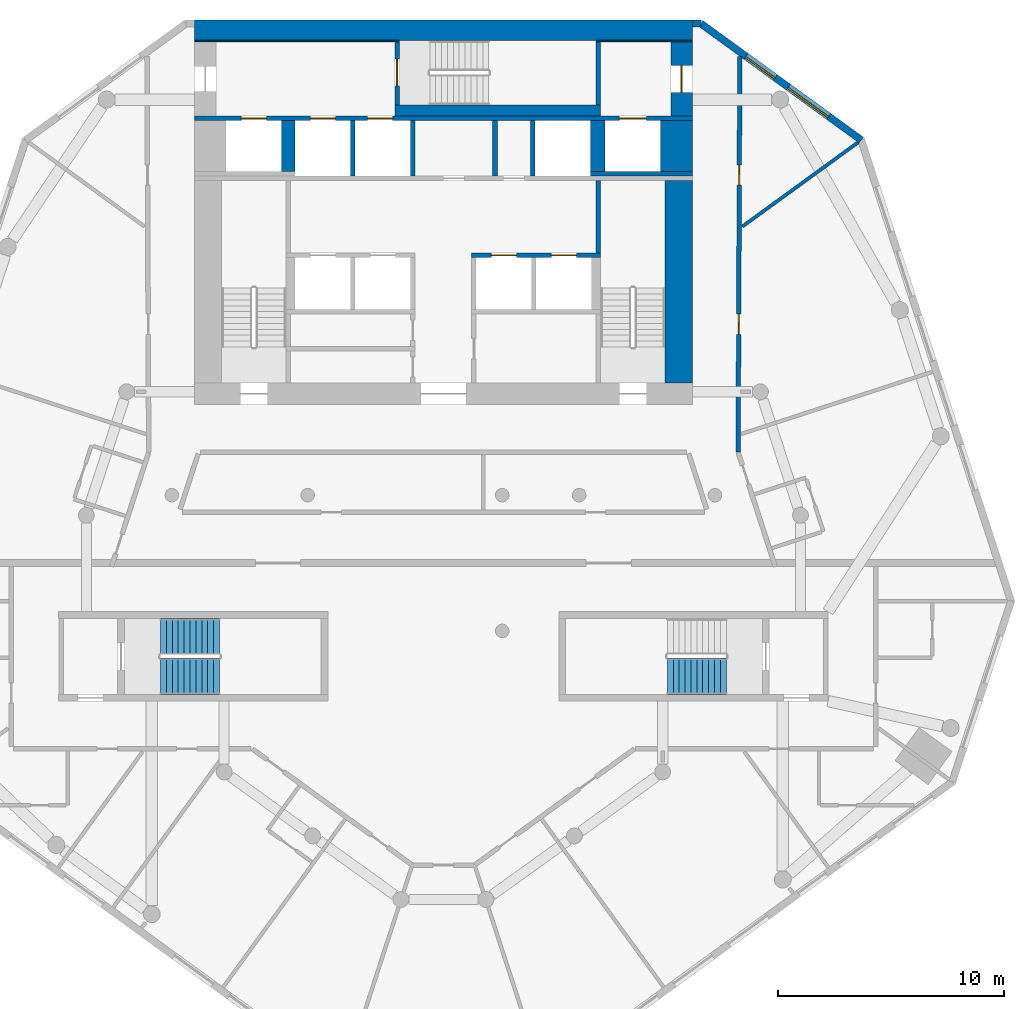
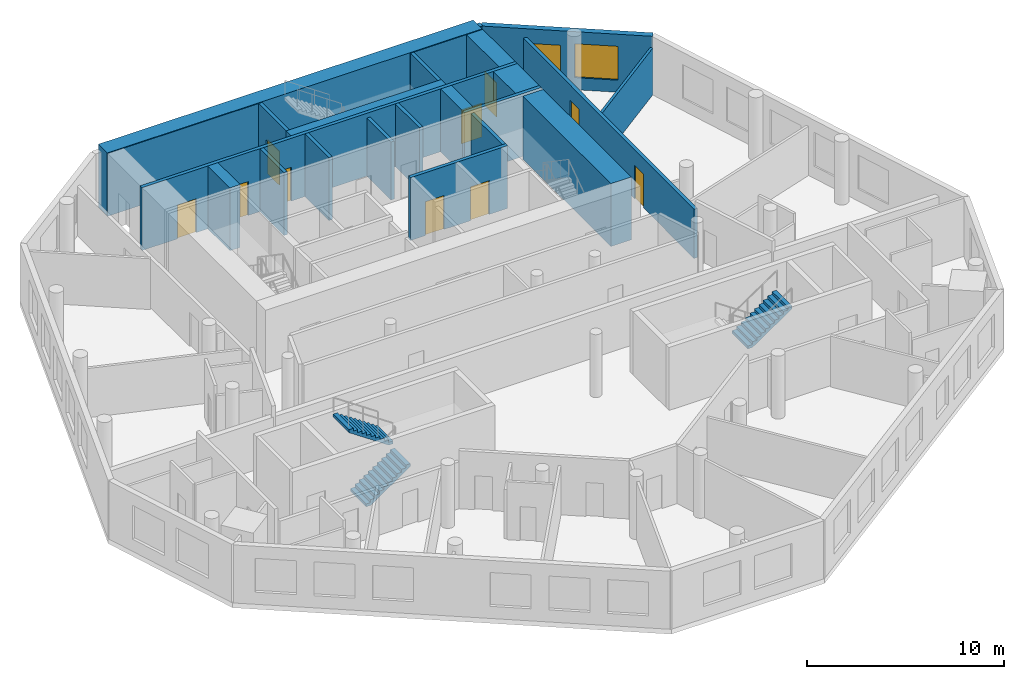
# One storey, part 6 of 9: 23 walls, 10 doors, 3 stair flights, 2 windows, 12 openings, 2 elements without a shape of their own.
"""IFC4 building model written with IfcOpenShell, lengths in metres."""

import ifcopenshell
import ifcopenshell.guid

model = None  # the IFC model being written
_history = None  # IfcOwnerHistory: only IFC2X3 demands one
_inside = {}  # id of a spatial element -> (the spatial element, [elements in it])
_under = {}  # id of a project, library or spatial element -> (it, [spatial elements below it])
_declared = {}  # id of a project -> (the project, [libraries it declares])
_typed = {}  # id of a type object -> (the type object, [elements of that type])
_made_of = {}  # id of a material, layer set ... -> (it, [elements and type objects made of it])


def new_model(schema):
    """Start an empty IFC model of exactly this schema.

    Asked for "IFC4X3", IfcOpenShell would pick the latest addendum, in which some entities
    have other attributes; the version numbers below select the first issue.
    IFC2X3 requires an IfcOwnerHistory on every rooted entity: one is made here for all.
    """
    global model, _history
    if schema == "IFC4X3":
        model = ifcopenshell.file(schema_version=(4, 3, 0, 0))
    else:
        model = ifcopenshell.file(schema=schema)
    _inside.clear()
    _under.clear()
    _declared.clear()
    _typed.clear()
    _made_of.clear()
    _history = None
    if model.schema == "IFC2X3":
        org = make("IfcOrganization", Name="unknown")
        user = make(
            "IfcPersonAndOrganization",
            ThePerson=make("IfcPerson", FamilyName="unknown"),
            TheOrganization=org,
        )
        app = make(
            "IfcApplication",
            ApplicationDeveloper=org,
            Version="unknown",
            ApplicationFullName="unknown",
            ApplicationIdentifier="unknown",
        )
        _history = make(
            "IfcOwnerHistory",
            OwningUser=user,
            OwningApplication=app,
            ChangeAction="ADDED",
            CreationDate=0,
        )
    return model


def make(cls, **values):
    """One entity of the class cls with the attributes given. An attribute that is None is left unset."""
    return model.create_entity(
        cls, **{name: value for name, value in values.items() if value is not None}
    )


def rooted(cls, **values):
    """An entity with a GlobalId (a new one), such as an element, a storey or a relation."""
    return make(cls, GlobalId=ifcopenshell.guid.new(), OwnerHistory=_history, **values)


def si_unit(unit_type, name, prefix=None):
    """IfcSIUnit, for example si_unit("LENGTHUNIT", "METRE", prefix="MILLI")."""
    return make("IfcSIUnit", UnitType=unit_type, Prefix=prefix, Name=name)


def assignment(units):
    """IfcUnitAssignment: the units of a project."""
    return None if units is None else make("IfcUnitAssignment", Units=units)


def point(xyz):
    """IfcCartesianPoint."""
    return None if xyz is None else make("IfcCartesianPoint", Coordinates=xyz)


def direction(xyz):
    """IfcDirection."""
    return None if xyz is None else make("IfcDirection", DirectionRatios=xyz)


def frame(location, z_axis=None, x_axis=None):
    """IfcAxis2Placement3D, a coordinate frame: its origin and axes. An axis left out is left unset."""
    return make(
        "IfcAxis2Placement3D",
        Location=point(location),
        Axis=direction(z_axis),
        RefDirection=direction(x_axis),
    )


def frame_2d(location, x_axis=None):
    """IfcAxis2Placement2D, a coordinate frame in the plane: its origin and x axis."""
    return make(
        "IfcAxis2Placement2D", Location=point(location), RefDirection=direction(x_axis)
    )


def origin():
    """The frame at (0, 0, 0) with its axes left unset."""
    return frame((0.0, 0.0, 0.0))


def place(relative_to, where):
    """IfcLocalPlacement: puts the frame where relative to a parent placement (None: the world)."""
    return make(
        "IfcLocalPlacement", PlacementRelTo=relative_to, RelativePlacement=where
    )


def context(
    kind, dimensions, precision=None, world=None, true_north=None, identifier=None
):
    """IfcGeometricRepresentationContext, for example the 3D "Model" context."""
    return make(
        "IfcGeometricRepresentationContext",
        ContextIdentifier=identifier,
        ContextType=kind,
        CoordinateSpaceDimension=dimensions,
        Precision=precision,
        WorldCoordinateSystem=world,
        TrueNorth=true_north,
    )


def subcontext(parent, identifier, kind, view, scale=None):
    """IfcGeometricRepresentationSubContext, for example "Body" below "Model"."""
    return make(
        "IfcGeometricRepresentationSubContext",
        ContextIdentifier=identifier,
        ContextType=kind,
        ParentContext=parent,
        TargetScale=scale,
        TargetView=view,
    )


def project(units=None, contexts=None):
    """IfcProject with its units and contexts."""
    return rooted(
        "IfcProject",
        Name="project",
        RepresentationContexts=contexts,
        UnitsInContext=assignment(units),
    )


def spatial(cls, under=None, at=None, **own):
    """A site, building, storey or space (cls), placed at a placement, below another one or the project."""
    s = rooted(cls, ObjectPlacement=at, **own)
    if under is not None:
        _under.setdefault(under.id(), (under, []))[1].append(s)
    return s


def polyline(points):
    """IfcPolyline through the points."""
    return make("IfcPolyline", Points=[point(p) for p in points])


def profile(cls, at=None, kind="AREA", **sizes):
    """A parametric profile (cls). Its sizes go by their IFC names, for example OverallWidth=200.0."""
    return make(cls, ProfileType=kind, Position=at, **sizes)


def rectangle(**sizes):
    """IfcRectangleProfileDef."""
    return profile("IfcRectangleProfileDef", **sizes)


def outline(outer, holes=None, kind="AREA"):
    """IfcArbitraryClosedProfileDef: a profile drawn as a closed curve; with holes, ...WithVoids."""
    if holes is None:
        return make("IfcArbitraryClosedProfileDef", ProfileType=kind, OuterCurve=outer)
    return make(
        "IfcArbitraryProfileDefWithVoids",
        ProfileType=kind,
        OuterCurve=outer,
        InnerCurves=holes,
    )


def extrude(swept, where, along, depth):
    """IfcExtrudedAreaSolid: the profile swept, set in the frame where, extruded along a direction by depth."""
    return make(
        "IfcExtrudedAreaSolid",
        SweptArea=swept,
        Position=where,
        ExtrudedDirection=direction(along),
        Depth=depth,
    )


def shape(context_of_items, identifier, shape_type, items):
    """IfcShapeRepresentation: the items that make up one representation, for example the "Body"."""
    return make(
        "IfcShapeRepresentation",
        ContextOfItems=context_of_items,
        RepresentationIdentifier=identifier,
        RepresentationType=shape_type,
        Items=items,
    )


def material(Name=None, Category=None):
    """IfcMaterial."""
    return make("IfcMaterial", Name=Name, Category=Category)


def layer(
    of_material, thickness, ventilated=None, Name=None, Category=None, Priority=None
):
    """IfcMaterialLayer: one layer of a wall or slab, of a material (None: an air gap)."""
    return make(
        "IfcMaterialLayer",
        Material=of_material,
        LayerThickness=thickness,
        IsVentilated=ventilated,
        Name=Name,
        Category=Category,
        Priority=Priority,
    )


def layer_set(layers, Name=None):
    """IfcMaterialLayerSet."""
    return make("IfcMaterialLayerSet", MaterialLayers=layers, LayerSetName=Name)


def made_of(thing, what):
    """Note that an element or type object is made of a material, layer set ...; save() writes the relation."""
    if what is not None:
        _made_of.setdefault(what.id(), (what, []))[1].append(thing)
    return thing


def type_object(cls, material=None, **own):
    """A type object (cls), such as IfcWallType, which elements share."""
    return made_of(rooted(cls, **own), material)


def element(
    cls,
    number,
    at=None,
    inside=None,
    cuts=None,
    type_object=None,
    material=None,
    context=None,
    identifier="Body",
    shape_type=None,
    held_by="IfcProductDefinitionShape",
    body=None,
    shapes=None,
    **own,
):
    """One element of the class cls, such as IfcWall. Its Tag is "e" and its number.

    at: its placement. inside: the storey or other place that contains it. cuts: it is an
    opening in that element (IfcRelVoidsElement). A single representation is given by context,
    identifier, shape_type and body (its items); several are given by shapes. held_by: the class
    of the entity that holds the representations. save() writes the other relations.
    """
    e = rooted(cls, Tag="e%d" % number, ObjectPlacement=at, **own)
    if body is not None:
        shapes = [shape(context, identifier, shape_type, body)]
    if shapes is not None:
        e.Representation = make(held_by, Representations=shapes)
    if inside is not None:
        _inside.setdefault(inside.id(), (inside, []))[1].append(e)
    if cuts is not None:
        rooted(
            "IfcRelVoidsElement", RelatingBuildingElement=cuts, RelatedOpeningElement=e
        )
    if type_object is not None:
        _typed.setdefault(type_object.id(), (type_object, []))[1].append(e)
    return made_of(e, material)


def fill(opening, filler):
    """IfcRelFillsElement: the door or window that sits in an opening."""
    return rooted(
        "IfcRelFillsElement",
        RelatingOpeningElement=opening,
        RelatedBuildingElement=filler,
    )


def aggregate(whole, parts):
    """IfcRelAggregates: a whole, such as a stair, and the parts it consists of."""
    return rooted("IfcRelAggregates", RelatingObject=whole, RelatedObjects=parts)


def save(model, path):
    """Write the relations noted so far, then the file.

    IfcRelAggregates (storeys below a building ...), IfcRelContainedInSpatialStructure (elements
    in a storey), IfcRelDefinesByType, IfcRelAssociatesMaterial and IfcRelDeclares: one each for
    every whole, place, type object, material and project.
    """
    for whole, parts in _under.values():
        aggregate(whole, parts)
    for where, things in _inside.values():
        rooted(
            "IfcRelContainedInSpatialStructure",
            RelatedElements=things,
            RelatingStructure=where,
        )
    for kind, things in _typed.values():
        rooted("IfcRelDefinesByType", RelatedObjects=things, RelatingType=kind)
    for what, things in _made_of.values():
        rooted("IfcRelAssociatesMaterial", RelatedObjects=things, RelatingMaterial=what)
    for by, libraries in _declared.values():
        rooted("IfcRelDeclares", RelatingContext=by, RelatedDefinitions=libraries)
    model.write(path)


model = new_model("IFC4")

# Units and contexts
model_context = context("Model", 3, precision=1e-05, world=origin(), true_north=direction((0.0, 1.0)))
body_context = subcontext(model_context, "Body", "Model", "MODEL_VIEW")
ifc_project = project(units=[si_unit("LENGTHUNIT", "METRE"), si_unit("AREAUNIT", "SQUARE_METRE"), si_unit("VOLUMEUNIT", "CUBIC_METRE"), si_unit("PLANEANGLEUNIT", "RADIAN"), si_unit("MASSUNIT", "GRAM", prefix="KILO")], contexts=[model_context])

# Site, building, storey
site_placement = place(None, origin())
site = spatial("IfcSite", under=ifc_project, at=site_placement, CompositionType="ELEMENT")
building_placement = place(site_placement, origin())
building = spatial("IfcBuilding", under=site, at=building_placement, Name="White Candle Pilgrim Tower", CompositionType="ELEMENT")
storey_placement = place(building_placement, frame((0.0, 0.0, 175.89990234375)))
storey = spatial("IfcBuildingStorey", under=building, at=storey_placement, Name="L40", CompositionType="ELEMENT", Elevation=175.89990234375)

# Walls
ifc_material_1 = material(Name="Concrete C60/75", Category="concrete")
ifc_layer_1 = layer(ifc_material_1, 1.39990234375)
ifc_layer_set_1 = layer_set([ifc_layer_1], Name="Core wall 1400 mm Concrete C60/75")
wall_type_1 = type_object("IfcWallType", Name="Core wall 1400 mm Concrete C60/75", PredefinedType="SHEAR", material=ifc_layer_set_1)
wall_1_placement = place(storey_placement, frame((80.300048828125, 81.300048828125, 0.0), z_axis=(0.0, 0.0, 1.0), x_axis=(0.0, 1.0, 0.0)))
element("IfcWall", 1, at=wall_1_placement, inside=storey, type_object=wall_type_1, Name="WL-L40-C43", PredefinedType="SHEAR", context=body_context, shape_type="SweptSolid", body=[
    extrude(rectangle(XDim=2.25, YDim=1.39990234375, at=frame_2d((1.125, 0.0))), origin(), (0.0, 0.0, 1.0), 3.900146484375),
])
ifc_layer_2 = layer(ifc_material_1, 0.199951171875)
ifc_layer_set_2 = layer_set([ifc_layer_2], Name="Core wall 200 mm Concrete C60/75")
wall_type_2 = type_object("IfcWallType", Name="Core wall 200 mm Concrete C60/75", PredefinedType="SHEAR", material=ifc_layer_set_2)
wall_2_placement = place(storey_placement, frame((76.5, 81.199951171875, 0.0), z_axis=(0.0, 0.0, 1.0), x_axis=(1.0, 0.0, 0.0)))
element("IfcWall", 2, at=wall_2_placement, inside=storey, type_object=wall_type_2, Name="WL-L40-C39", PredefinedType="SHEAR", context=body_context, shape_type="SweptSolid", body=[
    extrude(rectangle(XDim=4.5, YDim=0.199951171875, at=frame_2d((2.25, 0.0))), origin(), (0.0, 0.0, 1.0), 3.900146484375),
])

# Wall, openings, doors
wall_3_placement = place(storey_placement, frame((59.0, 83.64990234375, 0.0), z_axis=(0.0, 0.0, 1.0), x_axis=(1.0, 0.0, 0.0)))
wall_3 = element("IfcWall", 3, at=wall_3_placement, inside=storey, type_object=wall_type_2, Name="WL-L40-C44", PredefinedType="SHEAR", context=body_context, shape_type="SweptSolid", body=[
    extrude(rectangle(XDim=22.0, YDim=0.199951171875, at=frame_2d((11.0, 0.0))), origin(), (0.0, 0.0, 1.0), 3.900146484375),
])
opening_1_placement = place(wall_3_placement, frame((5.125, 0.0, 0.0)))
opening_1 = element("IfcOpeningElement", 4, at=opening_1_placement, cuts=wall_3, Name="Opening T12-018", PredefinedType="OPENING", context=body_context, shape_type="SweptSolid", body=[
    extrude(rectangle(XDim=1.10009765625, YDim=2.10009765625, at=frame_2d((0.550048828125, 1.050048828125))), frame((0.0, 0.10986328125, 0.0), z_axis=(0.0, -1.0, 0.0), x_axis=(1.0, 0.0, 0.0)), (0.0, 0.0, 1.0), 0.219970703125),
])
opening_2_placement = place(wall_3_placement, frame((7.64990234375, 0.0, 0.0)))
opening_2 = element("IfcOpeningElement", 5, at=opening_2_placement, cuts=wall_3, Name="Opening T12-019", PredefinedType="OPENING", context=body_context, shape_type="SweptSolid", body=[
    extrude(rectangle(XDim=1.10009765625, YDim=2.10009765625, at=frame_2d((0.550048828125, 1.050048828125))), frame((0.0, 0.10986328125, 0.0), z_axis=(0.0, -1.0, 0.0), x_axis=(1.0, 0.0, 0.0)), (0.0, 0.0, 1.0), 0.219970703125),
])
opening_3_placement = place(wall_3_placement, frame((18.77490234375, 0.0, 0.0)))
opening_3 = element("IfcOpeningElement", 6, at=opening_3_placement, cuts=wall_3, Name="Opening T12-020", PredefinedType="OPENING", context=body_context, shape_type="SweptSolid", body=[
    extrude(rectangle(XDim=1.199951171875, YDim=2.10009765625, at=frame_2d((0.60009765625, 1.050048828125))), frame((0.0, 0.10986328125, 0.0), z_axis=(0.0, -1.0, 0.0), x_axis=(1.0, 0.0, 0.0)), (0.0, 0.0, 1.0), 0.219970703125),
])
opening_4_placement = place(wall_3_placement, frame((2.074951171875, 0.0, 0.0)))
opening_4 = element("IfcOpeningElement", 7, at=opening_4_placement, cuts=wall_3, Name="Opening T12-021", PredefinedType="OPENING", context=body_context, shape_type="SweptSolid", body=[
    extrude(rectangle(XDim=1.10009765625, YDim=2.10009765625, at=frame_2d((0.550048828125, 1.050048828125))), frame((0.0, 0.10986328125, 0.0), z_axis=(0.0, -1.0, 0.0), x_axis=(1.0, 0.0, 0.0)), (0.0, 0.0, 1.0), 0.219970703125),
])
ifc_material_2 = material(Name="Stainless steel", Category="steel")
door_type_1 = type_object("IfcDoorType", Name="Lift landing door 1100 x 2100 EI 60", OperationType="DOUBLE_DOOR_SLIDING", PredefinedType="DOOR", material=ifc_material_2)
door_1_placement = place(opening_1_placement, origin())
door_1 = element("IfcDoor", 8, at=door_1_placement, inside=storey, type_object=door_type_1, Name="Door T12-018", OperationType="DOUBLE_DOOR_SLIDING", OverallHeight=2.10009765625, OverallWidth=1.10009765625, PredefinedType="DOOR", context=body_context, shape_type="SweptSolid", body=[
    extrude(rectangle(XDim=1.10009765625, YDim=2.10009765625, at=frame_2d((0.550048828125, 1.050048828125))), frame((0.0, 0.02490234375, 0.0), z_axis=(0.0, -1.0, 0.0), x_axis=(1.0, 0.0, 0.0)), (0.0, 0.0, 1.0), 0.050048828125),
])
fill(opening_1, door_1)
door_2_placement = place(opening_2_placement, origin())
door_2 = element("IfcDoor", 9, at=door_2_placement, inside=storey, type_object=door_type_1, Name="Door T12-019", OperationType="DOUBLE_DOOR_SLIDING", OverallHeight=2.10009765625, OverallWidth=1.10009765625, PredefinedType="DOOR", context=body_context, shape_type="SweptSolid", body=[
    extrude(rectangle(XDim=1.10009765625, YDim=2.10009765625, at=frame_2d((0.550048828125, 1.050048828125))), frame((0.0, 0.02490234375, 0.0), z_axis=(0.0, -1.0, 0.0), x_axis=(1.0, 0.0, 0.0)), (0.0, 0.0, 1.0), 0.050048828125),
])
fill(opening_2, door_2)
door_3_placement = place(opening_4_placement, origin())
door_3 = element("IfcDoor", 10, at=door_3_placement, inside=storey, type_object=door_type_1, Name="Door T12-021", OperationType="DOUBLE_DOOR_SLIDING", OverallHeight=2.10009765625, OverallWidth=1.10009765625, PredefinedType="DOOR", context=body_context, shape_type="SweptSolid", body=[
    extrude(rectangle(XDim=1.10009765625, YDim=2.10009765625, at=frame_2d((0.550048828125, 1.050048828125))), frame((0.0, 0.02490234375, 0.0), z_axis=(0.0, -1.0, 0.0), x_axis=(1.0, 0.0, 0.0)), (0.0, 0.0, 1.0), 0.050048828125),
])
fill(opening_4, door_3)
door_type_2 = type_object("IfcDoorType", Name="Lift landing door 1200 x 2100 E 60", OperationType="DOUBLE_DOOR_SLIDING", PredefinedType="DOOR", material=ifc_material_2)
door_4_placement = place(opening_3_placement, origin())
door_4 = element("IfcDoor", 11, at=door_4_placement, inside=storey, type_object=door_type_2, Name="Door T12-020", OperationType="DOUBLE_DOOR_SLIDING", OverallHeight=2.10009765625, OverallWidth=1.199951171875, PredefinedType="DOOR", context=body_context, shape_type="SweptSolid", body=[
    extrude(rectangle(XDim=1.199951171875, YDim=2.10009765625, at=frame_2d((0.60009765625, 1.050048828125))), frame((0.0, 0.02490234375, 0.0), z_axis=(0.0, -1.0, 0.0), x_axis=(1.0, 0.0, 0.0)), (0.0, 0.0, 1.0), 0.050048828125),
])
fill(opening_3, door_4)

# Wall, opening, door
ifc_layer_3 = layer(ifc_material_1, 0.949951171875)
ifc_layer_set_3 = layer_set([ifc_layer_3], Name="Core wall 950 mm Concrete C60/75")
wall_type_3 = type_object("IfcWallType", Name="Core wall 950 mm Concrete C60/75", PredefinedType="SHEAR", material=ifc_layer_set_3)
wall_4_placement = place(storey_placement, frame((80.52490234375, 83.75, 0.0), z_axis=(0.0, 0.0, 1.0), x_axis=(0.0, 1.0, 0.0)))
wall_4 = element("IfcWall", 12, at=wall_4_placement, inside=storey, type_object=wall_type_3, Name="WL-L40-C47", PredefinedType="SHEAR", context=body_context, shape_type="SweptSolid", body=[
    extrude(rectangle(XDim=3.300048828125, YDim=0.949951171875, at=frame_2d((1.64990234375, 0.0))), origin(), (0.0, 0.0, 1.0), 3.900146484375),
])
opening_5_placement = place(wall_4_placement, frame((1.050048828125, 0.0, 0.0)))
opening_5 = element("IfcOpeningElement", 13, at=opening_5_placement, cuts=wall_4, Name="Opening T12-009", PredefinedType="OPENING", context=body_context, shape_type="SweptSolid", body=[
    extrude(rectangle(XDim=1.199951171875, YDim=2.10009765625, at=frame_2d((0.60009765625, 1.050048828125))), frame((0.0, 0.48486328125, 0.0), z_axis=(0.0, -1.0, 0.0), x_axis=(1.0, 0.0, 0.0)), (0.0, 0.0, 1.0), 0.969970703125),
])
ifc_material_3 = material(Name="Steel door leaf", Category="steel")
door_type_3 = type_object("IfcDoorType", Name="Fire door 1200 x 2100 EI 30", OperationType="NOTDEFINED", PredefinedType="DOOR", material=ifc_material_3)
door_5_placement = place(opening_5_placement, origin())
door_5 = element("IfcDoor", 14, at=door_5_placement, inside=storey, type_object=door_type_3, Name="Door T12-009", OperationType="SINGLE_SWING_LEFT", OverallHeight=2.10009765625, OverallWidth=1.199951171875, PredefinedType="DOOR", context=body_context, shape_type="SweptSolid", body=[
    extrude(rectangle(XDim=1.199951171875, YDim=2.10009765625, at=frame_2d((0.60009765625, 1.050048828125))), frame((0.0, 0.02490234375, 0.0), z_axis=(0.0, -1.0, 0.0), x_axis=(1.0, 0.0, 0.0)), (0.0, 0.0, 1.0), 0.050048828125),
])
fill(opening_5, door_5)

# Wall, openings, doors
ifc_material_4 = material(Name="Gypsum board on steel studs", Category="steel")
ifc_layer_4 = layer(ifc_material_4, 0.199951171875)
ifc_layer_set_4 = layer_set([ifc_layer_4], Name="Corridor wall 200 mm EI 45")
wall_type_4 = type_object("IfcWallType", Name="Corridor wall 200 mm EI 45", PredefinedType="PARTITIONING", material=ifc_layer_set_4)
wall_5_placement = place(storey_placement, frame((83.10009765625, 86.396240234375, 0.0), z_axis=(0.0, 0.0, 1.0), x_axis=(-0.004315662543, -0.999990687485, 0.0)))
wall_5 = element("IfcWall", 15, at=wall_5_placement, inside=storey, type_object=wall_type_4, Name="WL-L40-P004", PredefinedType="PARTITIONING", context=body_context, shape_type="SweptSolid", body=[
    extrude(rectangle(XDim=17.48046875, YDim=0.199951171875, at=frame_2d((8.740234375, 0.0))), origin(), (0.0, 0.0, 1.0), 3.050048828125),
])
opening_6_placement = place(wall_5_placement, frame((4.7939453125, 0.0, 0.0)))
opening_6 = element("IfcOpeningElement", 16, at=opening_6_placement, cuts=wall_5, Name="Opening T12-125", PredefinedType="OPENING", context=body_context, shape_type="SweptSolid", body=[
    extrude(rectangle(XDim=0.89990234375, YDim=2.10009765625, at=frame_2d((0.449951171875, 1.050048828125))), frame((0.0, 0.10986328125, 0.0), z_axis=(0.0, -1.0, 0.0), x_axis=(1.0, 0.0, 0.0)), (0.0, 0.0, 1.0), 0.219970703125),
])
opening_7_placement = place(wall_5_placement, frame((11.3857421875, 0.0, 0.0)))
opening_7 = element("IfcOpeningElement", 17, at=opening_7_placement, cuts=wall_5, Name="Opening T12-126", PredefinedType="OPENING", context=body_context, shape_type="SweptSolid", body=[
    extrude(rectangle(XDim=0.89990234375, YDim=2.10009765625, at=frame_2d((0.449951171875, 1.050048828125))), frame((0.0, 0.10986328125, 0.0), z_axis=(0.0, -1.0, 0.0), x_axis=(1.0, 0.0, 0.0)), (0.0, 0.0, 1.0), 0.219970703125),
])
door_type_4 = type_object("IfcDoorType", Name="Fire door 900 x 2100 EI 30", OperationType="NOTDEFINED", PredefinedType="DOOR", material=ifc_material_3)
door_6_placement = place(opening_6_placement, origin())
door_6 = element("IfcDoor", 18, at=door_6_placement, inside=storey, type_object=door_type_4, Name="Door T12-125", OperationType="SINGLE_SWING_LEFT", OverallHeight=2.10009765625, OverallWidth=0.89990234375, PredefinedType="DOOR", context=body_context, shape_type="SweptSolid", body=[
    extrude(rectangle(XDim=0.89990234375, YDim=2.10009765625, at=frame_2d((0.449951171875, 1.050048828125))), frame((0.0, 0.02490234375, 0.0), z_axis=(0.0, -1.0, 0.0), x_axis=(1.0, 0.0, 0.0)), (0.0, 0.0, 1.0), 0.050048828125),
])
fill(opening_6, door_6)
door_7_placement = place(opening_7_placement, origin())
door_7 = element("IfcDoor", 19, at=door_7_placement, inside=storey, type_object=door_type_4, Name="Door T12-126", OperationType="SINGLE_SWING_RIGHT", OverallHeight=2.10009765625, OverallWidth=0.89990234375, PredefinedType="DOOR", context=body_context, shape_type="SweptSolid", body=[
    extrude(rectangle(XDim=0.89990234375, YDim=2.10009765625, at=frame_2d((0.449951171875, 1.050048828125))), frame((0.0, 0.02490234375, 0.0), z_axis=(0.0, -1.0, 0.0), x_axis=(1.0, 0.0, 0.0)), (0.0, 0.0, 1.0), 0.050048828125),
])
fill(opening_7, door_7)

# Wall, openings, windows
ifc_material_5 = material(Name="Precast concrete C40/50", Category="concrete")
ifc_layer_5 = layer(ifc_material_5, 0.320068359375)
ifc_layer_set_5 = layer_set([ifc_layer_5], Name="Facade wall EW1 precast concrete C40/50 pier wall with timber-lined reveals")
wall_type_5 = type_object("IfcWallType", Name="Facade wall EW1 precast concrete C40/50 pier wall with timber-lined reveals", PredefinedType="SOLIDWALL", material=ifc_layer_set_5)
wall_6_placement = place(storey_placement, frame((88.468505859375, 82.693603515625, 0.0), z_axis=(0.0, 0.0, 1.0), x_axis=(-0.809015733499, 0.587786987735, 0.0)))
wall_6 = element("IfcWall", 20, at=wall_6_placement, inside=storey, type_object=wall_type_5, Name="Facade wall L40 NE chamfer", PredefinedType="SOLIDWALL", context=body_context, shape_type="SweptSolid", body=[
    extrude(rectangle(XDim=8.755615234375, YDim=0.320068359375, at=frame_2d((4.3779296875, 0.0))), origin(), (0.0, 0.0, 1.0), 3.60009765625),
])
opening_8_placement = place(wall_6_placement, frame((1.77783203125, 0.0, 0.75)))
opening_8 = element("IfcOpeningElement", 21, at=opening_8_placement, cuts=wall_6, Name="Opening W4", PredefinedType="OPENING", context=body_context, shape_type="SweptSolid", body=[
    extrude(rectangle(XDim=2.199951171875, YDim=2.10009765625, at=frame_2d((1.10009765625, 1.050048828125))), frame((0.0, 0.169921875, 0.0), z_axis=(0.0, -1.0, 0.0), x_axis=(1.0, 0.0, 0.0)), (0.0, 0.0, 1.0), 0.340087890625),
])
opening_9_placement = place(wall_6_placement, frame((4.6962890625, 0.0, 0.89990234375)))
opening_9 = element("IfcOpeningElement", 22, at=opening_9_placement, cuts=wall_6, Name="Opening W2", PredefinedType="OPENING", context=body_context, shape_type="SweptSolid", body=[
    extrude(rectangle(XDim=1.60009765625, YDim=1.800048828125, at=frame_2d((0.800048828125, 0.89990234375))), frame((0.0, 0.169921875, 0.0), z_axis=(0.0, -1.0, 0.0), x_axis=(1.0, 0.0, 0.0)), (0.0, 0.0, 1.0), 0.340087890625),
])
ifc_material_6 = material(Name="Timber frame with triple glazing", Category="wood")
window_type_1 = type_object("IfcWindowType", Name="Window W2 1600x1800 timber frame triple glazing", PartitioningType="SINGLE_PANEL", PredefinedType="WINDOW", material=ifc_material_6)
window_1_placement = place(opening_9_placement, origin())
window_1 = element("IfcWindow", 23, at=window_1_placement, inside=storey, type_object=window_type_1, Name="Window W2 L40 NE chamfer 2", OverallHeight=1.800048828125, OverallWidth=1.60009765625, PartitioningType="SINGLE_PANEL", PredefinedType="WINDOW", context=body_context, shape_type="SweptSolid", body=[
    extrude(rectangle(XDim=1.60009765625, YDim=1.800048828125, at=frame_2d((0.800048828125, 0.89990234375))), frame((0.0, 0.070068359375, 0.0), z_axis=(0.0, -1.0, 0.0), x_axis=(1.0, 0.0, 0.0)), (0.0, 0.0, 1.0), 0.06005859375),
])
fill(opening_9, window_1)
window_type_2 = type_object("IfcWindowType", Name="Window W4 2200x2100 timber frame triple glazing", PartitioningType="SINGLE_PANEL", PredefinedType="WINDOW", material=ifc_material_6)
window_2_placement = place(opening_8_placement, origin())
window_2 = element("IfcWindow", 24, at=window_2_placement, inside=storey, type_object=window_type_2, Name="Window W4 L40 NE chamfer 1", OverallHeight=2.10009765625, OverallWidth=2.199951171875, PartitioningType="SINGLE_PANEL", PredefinedType="WINDOW", context=body_context, shape_type="SweptSolid", body=[
    extrude(rectangle(XDim=2.199951171875, YDim=2.10009765625, at=frame_2d((1.10009765625, 1.050048828125))), frame((0.0, 0.070068359375, 0.0), z_axis=(0.0, -1.0, 0.0), x_axis=(1.0, 0.0, 0.0)), (0.0, 0.0, 1.0), 0.06005859375),
])
fill(opening_8, window_2)

# Walls
wall_7_placement = place(storey_placement, frame((81.385009765625, 87.840087890625, 0.0), z_axis=(0.0, 0.0, 1.0), x_axis=(-1.0, 0.0, 0.0)))
element("IfcWall", 25, at=wall_7_placement, inside=storey, type_object=wall_type_5, Name="Facade wall L40 N", PredefinedType="SOLIDWALL", context=body_context, shape_type="SweptSolid", body=[
    extrude(rectangle(XDim=0.385009765625, YDim=0.320068359375, at=frame_2d((0.1923828125, 0.0))), origin(), (0.0, 0.0, 1.0), 3.60009765625),
])
ifc_layer_6 = layer(ifc_material_4, 0.199951171875)
ifc_layer_set_6 = layer_set([ifc_layer_6], Name="Lobby wall 200 mm EI 60")
wall_type_6 = type_object("IfcWallType", Name="Lobby wall 200 mm EI 60", PredefinedType="PARTITIONING", material=ifc_layer_set_6)
wall_8_placement = place(storey_placement, frame((72.280029296875, 81.10009765625, 0.0), z_axis=(0.0, 0.0, 1.0), x_axis=(0.0, 1.0, 0.0)))
element("IfcWall", 26, at=wall_8_placement, inside=storey, type_object=wall_type_6, Name="WL-L40-C37", PredefinedType="PARTITIONING", context=body_context, shape_type="SweptSolid", body=[
    extrude(rectangle(XDim=2.449951171875, YDim=0.199951171875, at=frame_2d((1.22509765625, 0.0))), origin(), (0.0, 0.0, 1.0), 3.60009765625),
])
ifc_layer_7 = layer(ifc_material_4, 0.14990234375)
ifc_layer_set_7 = layer_set([ifc_layer_7], Name="Partition 150 mm EI 60")
wall_type_7 = type_object("IfcWallType", Name="Partition 150 mm EI 60", PredefinedType="PARTITIONING", material=ifc_layer_set_7)
wall_9_placement = place(storey_placement, frame((88.33251953125, 82.594482421875, 0.0), z_axis=(0.0, 0.0, 1.0), x_axis=(-0.809026220211, -0.587772553809, 0.0)))
element("IfcWall", 27, at=wall_9_placement, inside=storey, type_object=wall_type_7, Name="WL-L40-P024", PredefinedType="PARTITIONING", context=body_context, shape_type="SweptSolid", body=[
    extrude(rectangle(XDim=6.329345703125, YDim=0.14990234375, at=frame_2d((3.16455078125, 0.0))), origin(), (0.0, 0.0, 1.0), 2.900146484375),
])
ifc_layer_8 = layer(ifc_material_1, 0.199951171875)
ifc_layer_set_8 = layer_set([ifc_layer_8], Name="Shaft wall 200 mm Concrete C60/75")
wall_type_8 = type_object("IfcWallType", Name="Shaft wall 200 mm Concrete C60/75", PredefinedType="SHEAR", material=ifc_layer_set_8)
for number, where, z_axis, x_axis, name in (
    (28, (66.0, 81.10009765625, 0.0), (0.0, 0.0, 1.0), (0.0, 1.0, 0.0), "WL-L40-C35"),
    (29, (68.64990234375, 81.10009765625, 0.0), (0.0, 0.0, 1.0), (0.0, 1.0, 0.0), "WL-L40-C36"),
    (30, (73.949951171875, 81.10009765625, 0.0), (0.0, 0.0, 1.0), (0.0, 1.0, 0.0), "WL-L40-C38"),
):
    element("IfcWall", number, at=place(storey_placement, frame(where, z_axis=z_axis, x_axis=x_axis)), inside=storey, type_object=wall_type_8, Name=name, PredefinedType="SHEAR", context=body_context, shape_type="SweptSolid", body=[
        extrude(rectangle(XDim=2.449951171875, YDim=0.199951171875, at=frame_2d((1.22509765625, 0.0))), origin(), (0.0, 0.0, 1.0), 3.900146484375),
    ])
ifc_layer_9 = layer(ifc_material_1, 0.60009765625)
ifc_layer_set_9 = layer_set([ifc_layer_9], Name="Shaft wall 600 mm Concrete C60/75")
wall_type_9 = type_object("IfcWallType", Name="Shaft wall 600 mm Concrete C60/75", PredefinedType="SHEAR", material=ifc_layer_set_9)
wall_10_placement = place(storey_placement, frame((63.14990234375, 81.300048828125, 0.0), z_axis=(0.0, 0.0, 1.0), x_axis=(0.0, 1.0, 0.0)))
element("IfcWall", 31, at=wall_10_placement, inside=storey, type_object=wall_type_9, Name="WL-L40-C41", PredefinedType="SHEAR", context=body_context, shape_type="SweptSolid", body=[
    extrude(rectangle(XDim=2.25, YDim=0.60009765625, at=frame_2d((1.125, 0.0))), origin(), (0.0, 0.0, 1.0), 3.900146484375),
])
ifc_layer_10 = layer(ifc_material_1, 0.64990234375)
ifc_layer_set_10 = layer_set([ifc_layer_10], Name="Shaft wall 650 mm Concrete C60/75")
wall_type_10 = type_object("IfcWallType", Name="Shaft wall 650 mm Concrete C60/75", PredefinedType="SHEAR", material=ifc_layer_set_10)
wall_11_placement = place(storey_placement, frame((76.824951171875, 81.300048828125, 0.0), z_axis=(0.0, 0.0, 1.0), x_axis=(0.0, 1.0, 0.0)))
element("IfcWall", 32, at=wall_11_placement, inside=storey, type_object=wall_type_10, Name="WL-L40-C42", PredefinedType="SHEAR", context=body_context, shape_type="SweptSolid", body=[
    extrude(rectangle(XDim=2.25, YDim=0.64990234375, at=frame_2d((1.125, 0.0))), origin(), (0.0, 0.0, 1.0), 3.900146484375),
])
ifc_layer_11 = layer(ifc_material_1, 1.199951171875)
ifc_layer_set_11 = layer_set([ifc_layer_11], Name="Stair shaft wall 1200 mm Concrete C60/75")
wall_type_11 = type_object("IfcWallType", Name="Stair shaft wall 1200 mm Concrete C60/75", PredefinedType="SHEAR", material=ifc_layer_set_11)
wall_12_placement = place(storey_placement, frame((80.39990234375, 71.949951171875, 0.0), z_axis=(0.0, 0.0, 1.0), x_axis=(0.0, 1.0, 0.0)))
element("IfcWall", 33, at=wall_12_placement, inside=storey, type_object=wall_type_11, Name="WL-L40-C17", PredefinedType="SHEAR", context=body_context, shape_type="SweptSolid", body=[
    extrude(rectangle(XDim=8.949951171875, YDim=1.199951171875, at=frame_2d((4.47509765625, 0.0))), origin(), (0.0, 0.0, 1.0), 3.900146484375),
])

# Wall, openings, doors
ifc_layer_12 = layer(ifc_material_1, 0.199951171875)
ifc_layer_set_12 = layer_set([ifc_layer_12], Name="Stair shaft wall 200 mm Concrete C60/75")
wall_type_12 = type_object("IfcWallType", Name="Stair shaft wall 200 mm Concrete C60/75", PredefinedType="SHEAR", material=ifc_layer_set_12)
wall_13_placement = place(storey_placement, frame((71.25, 77.60009765625, 0.0), z_axis=(0.0, 0.0, 1.0), x_axis=(1.0, 0.0, 0.0)))
wall_13 = element("IfcWall", 34, at=wall_13_placement, inside=storey, type_object=wall_type_12, Name="WL-L40-C30", PredefinedType="SHEAR", context=body_context, shape_type="SweptSolid", body=[
    extrude(rectangle(XDim=5.699951171875, YDim=0.199951171875, at=frame_2d((2.85009765625, 0.0))), origin(), (0.0, 0.0, 1.0), 3.900146484375),
])
opening_10_placement = place(wall_13_placement, frame((0.875, 0.0, 0.0)))
opening_10 = element("IfcOpeningElement", 35, at=opening_10_placement, cuts=wall_13, Name="Opening T12-016", PredefinedType="OPENING", context=body_context, shape_type="SweptSolid", body=[
    extrude(rectangle(XDim=1.10009765625, YDim=2.10009765625, at=frame_2d((0.550048828125, 1.050048828125))), frame((0.0, 0.10986328125, 0.0), z_axis=(0.0, -1.0, 0.0), x_axis=(1.0, 0.0, 0.0)), (0.0, 0.0, 1.0), 0.219970703125),
])
opening_11_placement = place(wall_13_placement, frame((3.52490234375, 0.0, 0.0)))
opening_11 = element("IfcOpeningElement", 36, at=opening_11_placement, cuts=wall_13, Name="Opening T12-017", PredefinedType="OPENING", context=body_context, shape_type="SweptSolid", body=[
    extrude(rectangle(XDim=1.10009765625, YDim=2.10009765625, at=frame_2d((0.550048828125, 1.050048828125))), frame((0.0, 0.10986328125, 0.0), z_axis=(0.0, -1.0, 0.0), x_axis=(1.0, 0.0, 0.0)), (0.0, 0.0, 1.0), 0.219970703125),
])
door_type_5 = type_object("IfcDoorType", Name="Lift landing door 1100 x 2100 E 60", OperationType="DOUBLE_DOOR_SLIDING", PredefinedType="DOOR", material=ifc_material_2)
door_8_placement = place(opening_10_placement, origin())
door_8 = element("IfcDoor", 37, at=door_8_placement, inside=storey, type_object=door_type_5, Name="Door T12-016", OperationType="DOUBLE_DOOR_SLIDING", OverallHeight=2.10009765625, OverallWidth=1.10009765625, PredefinedType="DOOR", context=body_context, shape_type="SweptSolid", body=[
    extrude(rectangle(XDim=1.10009765625, YDim=2.10009765625, at=frame_2d((0.550048828125, 1.050048828125))), frame((0.0, 0.02490234375, 0.0), z_axis=(0.0, -1.0, 0.0), x_axis=(1.0, 0.0, 0.0)), (0.0, 0.0, 1.0), 0.050048828125),
])
fill(opening_10, door_8)
door_9_placement = place(opening_11_placement, origin())
door_9 = element("IfcDoor", 38, at=door_9_placement, inside=storey, type_object=door_type_5, Name="Door T12-017", OperationType="DOUBLE_DOOR_SLIDING", OverallHeight=2.10009765625, OverallWidth=1.10009765625, PredefinedType="DOOR", context=body_context, shape_type="SweptSolid", body=[
    extrude(rectangle(XDim=1.10009765625, YDim=2.10009765625, at=frame_2d((0.550048828125, 1.050048828125))), frame((0.0, 0.02490234375, 0.0), z_axis=(0.0, -1.0, 0.0), x_axis=(1.0, 0.0, 0.0)), (0.0, 0.0, 1.0), 0.050048828125),
])
fill(opening_11, door_9)

# Wall
wall_14_placement = place(storey_placement, frame((76.85009765625, 77.699951171875, 0.0), z_axis=(0.0, 0.0, 1.0), x_axis=(0.0, 1.0, 0.0)))
element("IfcWall", 39, at=wall_14_placement, inside=storey, type_object=wall_type_12, Name="WL-L40-C32", PredefinedType="SHEAR", context=body_context, shape_type="SweptSolid", body=[
    extrude(rectangle(XDim=3.199951171875, YDim=0.199951171875, at=frame_2d((1.60009765625, 0.0))), origin(), (0.0, 0.0, 1.0), 3.900146484375),
])

# Wall, opening, door
wall_15_placement = place(storey_placement, frame((67.949951171875, 84.25, 0.0), z_axis=(0.0, 0.0, 1.0), x_axis=(0.0, 1.0, 0.0)))
wall_15 = element("IfcWall", 40, at=wall_15_placement, inside=storey, type_object=wall_type_12, Name="WL-L40-C48", PredefinedType="SHEAR", context=body_context, shape_type="SweptSolid", body=[
    extrude(rectangle(XDim=2.800048828125, YDim=0.199951171875, at=frame_2d((1.39990234375, 0.0))), origin(), (0.0, 0.0, 1.0), 3.900146484375),
])
opening_12_placement = place(wall_15_placement, frame((0.824951171875, 0.0, 0.0)))
opening_12 = element("IfcOpeningElement", 41, at=opening_12_placement, cuts=wall_15, Name="Opening T12-003", PredefinedType="OPENING", context=body_context, shape_type="SweptSolid", body=[
    extrude(rectangle(XDim=1.199951171875, YDim=2.10009765625, at=frame_2d((0.60009765625, 1.050048828125))), frame((0.0, 0.10986328125, 0.0), z_axis=(0.0, -1.0, 0.0), x_axis=(1.0, 0.0, 0.0)), (0.0, 0.0, 1.0), 0.219970703125),
])
door_type_6 = type_object("IfcDoorType", Name="Fire door 1200 x 2100 EI 60", OperationType="NOTDEFINED", PredefinedType="DOOR", material=ifc_material_3)
door_10_placement = place(opening_12_placement, frame((1.199951171875, 0.0, 0.0), z_axis=(0.0, 0.0, 1.0), x_axis=(-1.0, 0.0, 0.0)))
door_10 = element("IfcDoor", 42, at=door_10_placement, inside=storey, type_object=door_type_6, Name="Door T12-003", OperationType="SINGLE_SWING_RIGHT", OverallHeight=2.10009765625, OverallWidth=1.199951171875, PredefinedType="DOOR", context=body_context, shape_type="SweptSolid", body=[
    extrude(rectangle(XDim=1.199951171875, YDim=2.10009765625, at=frame_2d((0.60009765625, 1.050048828125))), frame((0.0, 0.02490234375, 0.0), z_axis=(0.0, -1.0, 0.0), x_axis=(1.0, 0.0, 0.0)), (0.0, 0.0, 1.0), 0.050048828125),
])
fill(opening_12, door_10)

# Walls
wall_16_placement = place(storey_placement, frame((76.85009765625, 84.25, 0.0), z_axis=(0.0, 0.0, 1.0), x_axis=(0.0, 1.0, 0.0)))
element("IfcWall", 43, at=wall_16_placement, inside=storey, type_object=wall_type_12, Name="WL-L40-C49", PredefinedType="SHEAR", context=body_context, shape_type="SweptSolid", body=[
    extrude(rectangle(XDim=2.800048828125, YDim=0.199951171875, at=frame_2d((1.39990234375, 0.0))), origin(), (0.0, 0.0, 1.0), 3.900146484375),
])
ifc_layer_13 = layer(ifc_material_1, 0.050048828125)
ifc_layer_set_13 = layer_set([ifc_layer_13], Name="Stair shaft wall 50 mm Concrete C60/75")
wall_type_13 = type_object("IfcWallType", Name="Stair shaft wall 50 mm Concrete C60/75", PredefinedType="SHEAR", material=ifc_layer_set_13)
wall_17_placement = place(storey_placement, frame((59.0, 87.074951171875, 0.0), z_axis=(0.0, 0.0, 1.0), x_axis=(1.0, 0.0, 0.0)))
element("IfcWall", 44, at=wall_17_placement, inside=storey, type_object=wall_type_13, Name="WL-L40-C50", PredefinedType="SHEAR", context=body_context, shape_type="SweptSolid", body=[
    extrude(rectangle(XDim=9.050048828125, YDim=0.050048828125, at=frame_2d((4.52490234375, 0.0))), origin(), (0.0, 0.0, 1.0), 3.900146484375),
])
wall_18_placement = place(storey_placement, frame((76.75, 87.074951171875, 0.0), z_axis=(0.0, 0.0, 1.0), x_axis=(1.0, 0.0, 0.0)))
element("IfcWall", 45, at=wall_18_placement, inside=storey, type_object=wall_type_13, Name="WL-L40-C51", PredefinedType="SHEAR", context=body_context, shape_type="SweptSolid", body=[
    extrude(rectangle(XDim=4.25, YDim=0.050048828125, at=frame_2d((2.125, 0.0))), origin(), (0.0, 0.0, 1.0), 3.900146484375),
])
ifc_layer_14 = layer(ifc_material_1, 0.5)
ifc_layer_set_14 = layer_set([ifc_layer_14], Name="Stair shaft wall 500 mm Concrete C60/75")
wall_type_14 = type_object("IfcWallType", Name="Stair shaft wall 500 mm Concrete C60/75", PredefinedType="SHEAR", material=ifc_layer_set_14)
wall_19_placement = place(storey_placement, frame((67.85009765625, 84.0, 0.0), z_axis=(0.0, 0.0, 1.0), x_axis=(1.0, 0.0, 0.0)))
element("IfcWall", 46, at=wall_19_placement, inside=storey, type_object=wall_type_14, Name="WL-L40-C46", PredefinedType="SHEAR", context=body_context, shape_type="SweptSolid", body=[
    extrude(rectangle(XDim=9.099853515625, YDim=0.5, at=frame_2d((4.5498046875, 0.0))), origin(), (0.0, 0.0, 1.0), 3.900146484375),
])
ifc_layer_15 = layer(ifc_material_1, 0.89990234375)
ifc_layer_set_15 = layer_set([ifc_layer_15], Name="Stair shaft wall 900 mm Concrete C60/75")
wall_type_15 = type_object("IfcWallType", Name="Stair shaft wall 900 mm Concrete C60/75", PredefinedType="SHEAR", material=ifc_layer_set_15)
wall_20_placement = place(storey_placement, frame((59.0, 87.550048828125, 0.0), z_axis=(0.0, 0.0, 1.0), x_axis=(1.0, 0.0, 0.0)))
element("IfcWall", 47, at=wall_20_placement, inside=storey, type_object=wall_type_15, Name="WL-L40-C52", PredefinedType="SHEAR", context=body_context, shape_type="SweptSolid", body=[
    extrude(rectangle(XDim=22.0, YDim=0.89990234375, at=frame_2d((11.0, 0.0))), origin(), (0.0, 0.0, 1.0), 3.900146484375),
])

# Stair, stair flight
ifc_material_7 = material(Name="Concrete C40/50", Category="concrete")
stair_type_1 = type_object("IfcStairType", Name="Exit stair 4 flight width 1600 mm", PredefinedType="HALF_TURN_STAIR", material=ifc_material_7)
stair_1_placement = place(storey_placement, origin())
stair_1 = element("IfcStair", 48, at=stair_1_placement, inside=storey, type_object=stair_type_1, Name="L40 stair 4", PredefinedType="NOTDEFINED")
ifc_layer_16 = layer(ifc_material_7, 0.14990234375)
ifc_layer_set_16 = layer_set([ifc_layer_16], Name="Stair flight Concrete C40/50")
stair_flight_type = type_object("IfcStairFlightType", Name="Stair flight Concrete C40/50", PredefinedType="STRAIGHT", material=ifc_layer_set_16)
stair_flight_1_placement = place(storey_placement, frame((79.89990234375, 59.0, 1.9501953125), z_axis=(0.0, 0.0, 1.0), x_axis=(1.0, 0.0, 0.0)))
stair_flight_1 = element("IfcStairFlight", 49, at=stair_flight_1_placement, type_object=stair_flight_type, Name="ST4 flight 2", NumberOfRisers=11, NumberOfTreads=10, PredefinedType="NOTDEFINED", RiserHeight=0.177272727, TreadLength=0.26, context=body_context, shape_type="SweptSolid", body=[
    extrude(outline(polyline([(0.0, 0.0), (0.0, 0.17724609375), (0.260009765625, 0.17724609375), (0.260009765625, 0.3544921875), (0.52001953125, 0.3544921875), (0.52001953125, 0.53173828125), (0.780029296875, 0.53173828125), (0.780029296875, 0.708984375), (1.0400390625, 0.708984375), (1.0400390625, 0.886474609375), (1.300048828125, 0.886474609375), (1.300048828125, 1.063720703125), (1.56005859375, 1.063720703125), (1.56005859375, 1.240966796875), (1.820068359375, 1.240966796875), (1.820068359375, 1.418212890625), (2.080078125, 1.418212890625), (2.080078125, 1.595458984375), (2.340087890625, 1.595458984375), (2.340087890625, 1.772705078125), (2.60009765625, 1.772705078125), (2.60009765625, 1.949951171875), (2.60009765625, 1.59130859375), (0.26611328125, 0.0), (0.0, 0.0)])), frame((0.0, 0.800048828125, 0.0), z_axis=(0.0, -1.0, 0.0), x_axis=(1.0, 0.0, 0.0)), (0.0, 0.0, 1.0), 1.60009765625),
])
aggregate(stair_1, [stair_flight_1])

# Stair, stair flights
stair_type_2 = type_object("IfcStairType", Name="Exit stair 5 flight width 1600 mm", PredefinedType="HALF_TURN_STAIR", material=ifc_material_7)
stair_2_placement = place(storey_placement, origin())
stair_2 = element("IfcStair", 50, at=stair_2_placement, inside=storey, type_object=stair_type_2, Name="L40 stair 5", PredefinedType="NOTDEFINED")
stair_flight_2_placement = place(storey_placement, frame((57.5, 59.0, 0.0), z_axis=(0.0, 0.0, 1.0), x_axis=(1.0, 0.0, 0.0)))
stair_flight_2 = element("IfcStairFlight", 51, at=stair_flight_2_placement, type_object=stair_flight_type, Name="ST5 flight 1", NumberOfRisers=11, NumberOfTreads=10, PredefinedType="NOTDEFINED", RiserHeight=0.177272727, TreadLength=0.26, context=body_context, shape_type="SweptSolid", body=[
    extrude(outline(polyline([(0.0, 0.0), (0.0, 0.17724609375), (0.260009765625, 0.17724609375), (0.260009765625, 0.3544921875), (0.52001953125, 0.3544921875), (0.52001953125, 0.53173828125), (0.780029296875, 0.53173828125), (0.780029296875, 0.708984375), (1.0400390625, 0.708984375), (1.0400390625, 0.886474609375), (1.300048828125, 0.886474609375), (1.300048828125, 1.063720703125), (1.56005859375, 1.063720703125), (1.56005859375, 1.240966796875), (1.820068359375, 1.240966796875), (1.820068359375, 1.418212890625), (2.080078125, 1.418212890625), (2.080078125, 1.595458984375), (2.340087890625, 1.595458984375), (2.340087890625, 1.772705078125), (2.60009765625, 1.772705078125), (2.60009765625, 1.949951171875), (2.60009765625, 1.59130859375), (0.26611328125, 0.0), (0.0, 0.0)])), frame((0.0, 0.800048828125, 0.0), z_axis=(0.0, -1.0, 0.0), x_axis=(1.0, 0.0, 0.0)), (0.0, 0.0, 1.0), 1.60009765625),
])
stair_flight_3_placement = place(storey_placement, frame((60.10009765625, 60.75, 1.9501953125), z_axis=(0.0, 0.0, 1.0), x_axis=(-1.0, 0.0, 0.0)))
stair_flight_3 = element("IfcStairFlight", 52, at=stair_flight_3_placement, type_object=stair_flight_type, Name="ST5 flight 2", NumberOfRisers=11, NumberOfTreads=10, PredefinedType="NOTDEFINED", RiserHeight=0.177272727, TreadLength=0.26, context=body_context, shape_type="SweptSolid", body=[
    extrude(outline(polyline([(0.0, 0.0), (0.0, 0.17724609375), (0.260009765625, 0.17724609375), (0.260009765625, 0.3544921875), (0.52001953125, 0.3544921875), (0.52001953125, 0.53173828125), (0.780029296875, 0.53173828125), (0.780029296875, 0.708984375), (1.0400390625, 0.708984375), (1.0400390625, 0.886474609375), (1.300048828125, 0.886474609375), (1.300048828125, 1.063720703125), (1.56005859375, 1.063720703125), (1.56005859375, 1.240966796875), (1.820068359375, 1.240966796875), (1.820068359375, 1.418212890625), (2.080078125, 1.418212890625), (2.080078125, 1.595458984375), (2.340087890625, 1.595458984375), (2.340087890625, 1.772705078125), (2.60009765625, 1.772705078125), (2.60009765625, 1.949951171875), (2.60009765625, 1.59130859375), (0.26611328125, 0.0), (0.0, 0.0)])), frame((0.0, 0.800048828125, 0.0), z_axis=(0.0, -1.0, 0.0), x_axis=(1.0, 0.0, 0.0)), (0.0, 0.0, 1.0), 1.60009765625),
])
aggregate(stair_2, [stair_flight_2, stair_flight_3])

save(model, "model.ifc")
